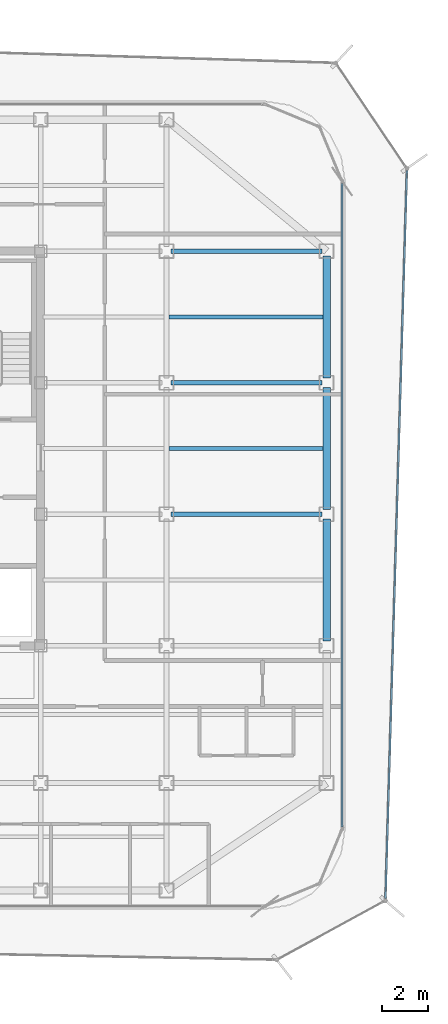
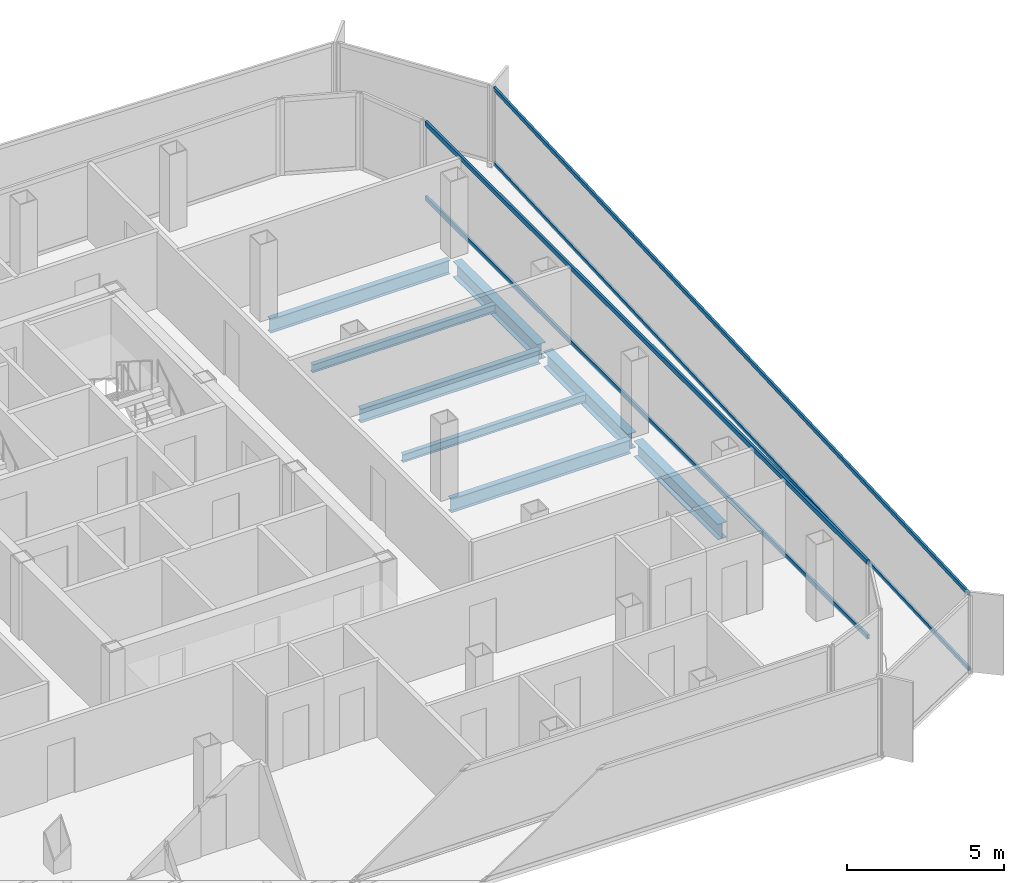
# One storey, part 5 of 15: 8 beams, 4 members, 2 elements without a shape of their own.
"""IFC4 building model written with IfcOpenShell, lengths in metres."""

from ifc_helpers import new_model, si_unit, direction, frame, origin, origin_2d, place, context, subcontext, project, spatial, hollow_rectangle, i_section, extrude, source, transform, mapped, material, layer, layer_set, material_profile, profile_set, type_object, element, aggregate, save


model = new_model("IFC4")

# Units and contexts
model_context = context("Model", 3, precision=1e-05, world=origin(), true_north=direction((0.0, 1.0)))
body_context = subcontext(model_context, "Body", "Model", "MODEL_VIEW")
ifc_project = project(units=[si_unit("LENGTHUNIT", "METRE"), si_unit("AREAUNIT", "SQUARE_METRE"), si_unit("VOLUMEUNIT", "CUBIC_METRE"), si_unit("PLANEANGLEUNIT", "RADIAN"), si_unit("MASSUNIT", "GRAM", prefix="KILO")], contexts=[model_context])

# Site, building, storey
site_placement = place(None, origin())
site = spatial("IfcSite", under=ifc_project, at=site_placement, CompositionType="ELEMENT")
building_placement = place(site_placement, origin())
building = spatial("IfcBuilding", under=site, at=building_placement, Name="Kolveth Station Tower", CompositionType="ELEMENT")
storey_placement = place(building_placement, frame((0.0, 0.0, 258.5)))
storey = spatial("IfcBuildingStorey", under=building, at=storey_placement, Name="L74", CompositionType="ELEMENT", Elevation=258.5)

# Beams
ifc_material_1 = material(Name="Steel S355", Category="steel")
ifc_material_profile_1 = material_profile(ifc_material_1, i_section(OverallWidth=0.323974609375, OverallDepth=0.611083984375, WebThickness=0.0126953125, FlangeThickness=0.01904296875, at=origin_2d()), Name="W610x155")
ifc_profile_set_1 = profile_set([ifc_material_profile_1], Name="Steel S355")
beam_type_1 = type_object("IfcBeamType", Name="Beam_SP2", PredefinedType="SPANDREL", material=ifc_profile_set_1)
shared_shape_1 = source(origin(), body_context, "Body", "SweptSolid", [
    extrude(i_section(OverallWidth=0.323974609375, OverallDepth=0.611083984375, WebThickness=0.0126953125, FlangeThickness=0.01904296875, at=origin_2d()), origin(), (0.0, 0.0, 1.0), 5.35009765625),
])
for number, where, z_axis, x_axis, name in (
    (1, (41.0, 11.699951171875, -0.525390625), (0.0, 1.0, 0.0), (-1.0, 0.0, 0.0), "L74 Perimeter Spandrel BM-L74-PE-2"),
    (2, (41.0, 17.449951171875, -0.525390625), (0.0, 1.0, 0.0), (-1.0, 0.0, 0.0), "L74 Perimeter Spandrel BM-L74-PE-3"),
    (3, (41.0, 23.199951171875, -0.525390625), (0.0, 1.0, 0.0), (-1.0, 0.0, 0.0), "L74 Perimeter Spandrel BM-L74-PE-4"),
):
    element("IfcBeam", number, at=place(storey_placement, frame(where, z_axis=z_axis, x_axis=x_axis)), inside=storey, type_object=beam_type_1, Name=name, PredefinedType="SPANDREL", context=body_context, shape_type="MappedRepresentation", body=[
        mapped(shared_shape_1, transform((0.0, 0.0, 0.0), x_axis=(1.0, 0.0, 0.0), y_axis=(0.0, 1.0, 0.0), z_axis=(0.0, 0.0, 1.0), scale=1.0)),
    ])
ifc_material_profile_2 = material_profile(ifc_material_1, i_section(OverallWidth=0.2099609375, OverallDepth=0.537109375, WebThickness=0.010986328125, FlangeThickness=0.017333984375, at=origin_2d()), Name="W530x101")
ifc_profile_set_2 = profile_set([ifc_material_profile_2], Name="Steel S355")
beam_type_2 = type_object("IfcBeamType", Name="Beam_B6", PredefinedType="BEAM", material=ifc_profile_set_2)
shared_shape_2 = source(origin(), body_context, "Body", "SweptSolid", [
    extrude(i_section(OverallWidth=0.2099609375, OverallDepth=0.537109375, WebThickness=0.010986328125, FlangeThickness=0.017333984375, at=origin_2d()), origin(), (0.0, 0.0, 1.0), 6.60009765625),
])
for number, where, z_axis, x_axis, name in (
    (4, (34.199951171875, 17.25, -0.488525390625), (1.0, 0.0, 0.0), (0.0, 1.0, 0.0), "L74 Primary Girder BM-L74-GY172-5"),
    (5, (34.199951171875, 23.0, -0.488525390625), (1.0, 0.0, 0.0), (0.0, 1.0, 0.0), "L74 Primary Girder BM-L74-GY230-5"),
    (6, (34.199951171875, 28.75, -0.488525390625), (1.0, 0.0, 0.0), (0.0, 1.0, 0.0), "L74 Primary Girder BM-L74-GY287-5"),
):
    element("IfcBeam", number, at=place(storey_placement, frame(where, z_axis=z_axis, x_axis=x_axis)), inside=storey, type_object=beam_type_2, Name=name, PredefinedType="BEAM", context=body_context, shape_type="MappedRepresentation", body=[
        mapped(shared_shape_2, transform((0.0, 0.0, 0.0), x_axis=(1.0, 0.0, 0.0), y_axis=(0.0, 1.0, 0.0), z_axis=(0.0, 0.0, 1.0), scale=1.0)),
    ])
ifc_material_profile_3 = material_profile(ifc_material_1, i_section(OverallWidth=0.1650390625, OverallDepth=0.31005859375, WebThickness=0.005859375, FlangeThickness=0.009765625, at=origin_2d()), Name="W310x39")
ifc_profile_set_3 = profile_set([ifc_material_profile_3], Name="Steel S355")
beam_type_3 = type_object("IfcBeamType", Name="Beam_J3", PredefinedType="JOIST", material=ifc_profile_set_3)
shared_shape_3 = source(origin(), body_context, "Body", "SweptSolid", [
    extrude(i_section(OverallWidth=0.1650390625, OverallDepth=0.31005859375, WebThickness=0.005859375, FlangeThickness=0.009765625, at=origin_2d()), origin(), (0.0, 0.0, 1.0), 6.737060546875),
])
for number, where, z_axis, x_axis, name in (
    (7, (34.10302734375, 20.125, -0.375), (1.0, 0.0, 0.0), (0.0, 1.0, 0.0), "L74 Secondary Joist JST-L74-5-4"),
    (8, (34.10302734375, 25.875, -0.375), (1.0, 0.0, 0.0), (0.0, 1.0, 0.0), "L74 Secondary Joist JST-L74-5-5"),
):
    element("IfcBeam", number, at=place(storey_placement, frame(where, z_axis=z_axis, x_axis=x_axis)), inside=storey, type_object=beam_type_3, Name=name, PredefinedType="JOIST", context=body_context, shape_type="MappedRepresentation", body=[
        mapped(shared_shape_3, transform((0.0, 0.0, 0.0), x_axis=(1.0, 0.0, 0.0), y_axis=(0.0, 1.0, 0.0), z_axis=(0.0, 0.0, 1.0), scale=1.0)),
    ])

# Curtain wall, members
ifc_material_2 = material(Name="Aluminium 6063-T6 and triple low-E dark glass", Category="aluminium")
ifc_layer_1 = layer(ifc_material_2, 0.199951171875)
ifc_layer_set_1 = layer_set([ifc_layer_1], Name="Aluminium 6063-T6 and triple low-E dark glass")
curtain_wall_type_1 = type_object("IfcCurtainWallType", Name="CurtainWall_CW-Z3", PredefinedType="NOTDEFINED", material=ifc_layer_set_1)
curtain_wall_1_placement = place(storey_placement, origin())
curtain_wall_1 = element("IfcCurtainWall", 9, at=curtain_wall_1_placement, inside=storey, type_object=curtain_wall_type_1, Name="L74 Inner Thermal Curtain Wall 3", PredefinedType="NOTDEFINED")
ifc_material_3 = material(Name="Black anodized aluminium 6063-T6", Category="aluminium")
ifc_material_profile_4 = material_profile(ifc_material_3, hollow_rectangle(XDim=0.0849609375, YDim=0.179931640625, WallThickness=0.0048828125, at=origin_2d()), Name="ALU-85x180x5")
ifc_profile_set_4 = profile_set([ifc_material_profile_4], Name="Black anodized aluminium 6063-T6")
member_type_1 = type_object("IfcMemberType", Name="Transom_TR3", PredefinedType="USERDEFINED", material=ifc_profile_set_4)
shared_shape_4 = source(origin(), body_context, "Body", "SweptSolid", [
    extrude(hollow_rectangle(XDim=0.0849609375, YDim=0.179931640625, WallThickness=0.0048828125, at=origin_2d()), origin(), (0.0, 0.0, 1.0), 28.130126953125),
])
member_1_placement = place(storey_placement, frame((41.679931640625, 3.5849609375, 0.04248046875), z_axis=(0.0, 1.0, 0.0), x_axis=(-1.0, 0.0, 0.0)))
member_1 = element("IfcMember", 10, at=member_1_placement, type_object=member_type_1, Name="CW-Z3 transom 1.1", ObjectType="TRANSOM", PredefinedType="USERDEFINED", context=body_context, shape_type="MappedRepresentation", body=[
    mapped(shared_shape_4, transform((0.0, 0.0, 0.0), x_axis=(1.0, 0.0, 0.0), y_axis=(0.0, 1.0, 0.0), z_axis=(0.0, 0.0, 1.0), scale=1.0)),
])
member_2_placement = place(storey_placement, frame((41.679931640625, 3.5849609375, 2.9375), z_axis=(0.0, 1.0, 0.0), x_axis=(-1.0, 0.0, 0.0)))
member_2 = element("IfcMember", 11, at=member_2_placement, type_object=member_type_1, Name="CW-Z3 transom 1.2", ObjectType="TRANSOM", PredefinedType="USERDEFINED", context=body_context, shape_type="MappedRepresentation", body=[
    mapped(shared_shape_4, transform((0.0, 0.0, 0.0), x_axis=(1.0, 0.0, 0.0), y_axis=(0.0, 1.0, 0.0), z_axis=(0.0, 0.0, 1.0), scale=1.0)),
])
aggregate(curtain_wall_1, [member_1, member_2])

ifc_material_4 = material(Name="Black anodized aluminium 6063-T6 and dark solar glass", Category="aluminium")
ifc_layer_2 = layer(ifc_material_4, 0.159912109375)
ifc_layer_set_2 = layer_set([ifc_layer_2], Name="Black anodized aluminium 6063-T6 and dark solar glass")
curtain_wall_type_2 = type_object("IfcCurtainWallType", Name="OUTER SKIN CW-OS", PredefinedType="NOTDEFINED", material=ifc_layer_set_2)
curtain_wall_2_placement = place(storey_placement, origin())
curtain_wall_2 = element("IfcCurtainWall", 12, at=curtain_wall_2_placement, inside=storey, type_object=curtain_wall_type_2, Name="L74 Outer Ventilated Skin Curtain Wall 2", PredefinedType="NOTDEFINED")
ifc_material_profile_5 = material_profile(ifc_material_3, hollow_rectangle(XDim=0.080078125, YDim=0.14990234375, WallThickness=0.0048828125, at=origin_2d()), Name="ALU-80x150x5")
ifc_profile_set_5 = profile_set([ifc_material_profile_5], Name="Black anodized aluminium 6063-T6")
member_type_2 = type_object("IfcMemberType", Name="Transom_TR-OS", PredefinedType="USERDEFINED", material=ifc_profile_set_5)
shared_shape_5 = source(origin(), body_context, "Body", "SweptSolid", [
    extrude(hollow_rectangle(XDim=0.080078125, YDim=0.14990234375, WallThickness=0.0048828125, at=origin_2d()), origin(), (0.0, 0.0, 1.0), 31.841796875),
])
member_3_placement = place(storey_placement, frame((43.575439453125, 0.448974609375, 0.0400390625), z_axis=(0.029426990414, 0.999566932344, 0.0), x_axis=(-0.999566932344, 0.029426990414, 0.0)))
member_3 = element("IfcMember", 13, at=member_3_placement, type_object=member_type_2, Name="CW-OS transom 1.1", ObjectType="TRANSOM", PredefinedType="USERDEFINED", context=body_context, shape_type="MappedRepresentation", body=[
    mapped(shared_shape_5, transform((0.0, 0.0, 0.0), x_axis=(1.0, 0.0, 0.0), y_axis=(0.0, 1.0, 0.0), z_axis=(0.0, 0.0, 1.0), scale=1.0)),
])
member_4_placement = place(storey_placement, frame((43.575439453125, 0.448974609375, 2.949951171875), z_axis=(0.029426990414, 0.999566932344, 0.0), x_axis=(-0.999566932344, 0.029426990414, 0.0)))
member_4 = element("IfcMember", 14, at=member_4_placement, type_object=member_type_2, Name="CW-OS transom 1.2", ObjectType="TRANSOM", PredefinedType="USERDEFINED", context=body_context, shape_type="MappedRepresentation", body=[
    mapped(shared_shape_5, transform((0.0, 0.0, 0.0), x_axis=(1.0, 0.0, 0.0), y_axis=(0.0, 1.0, 0.0), z_axis=(0.0, 0.0, 1.0), scale=1.0)),
])
aggregate(curtain_wall_2, [member_3, member_4])

save(model, "model.ifc")
